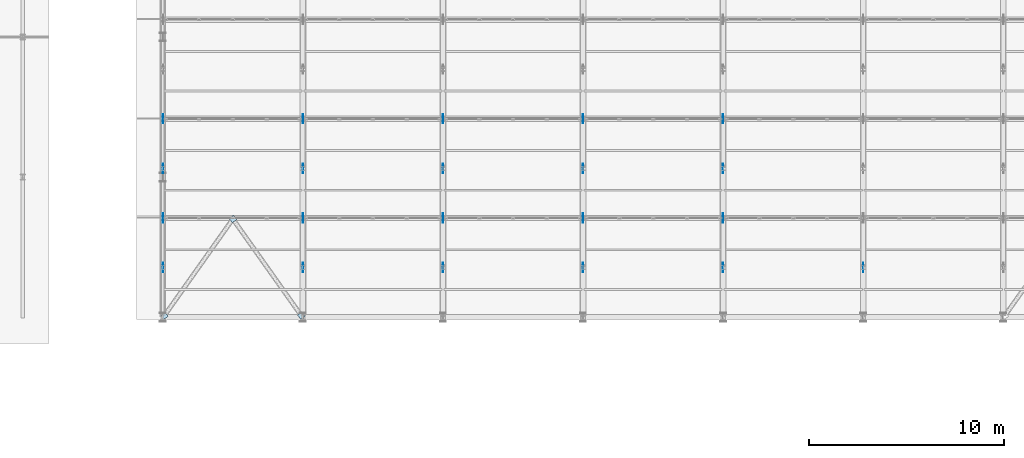
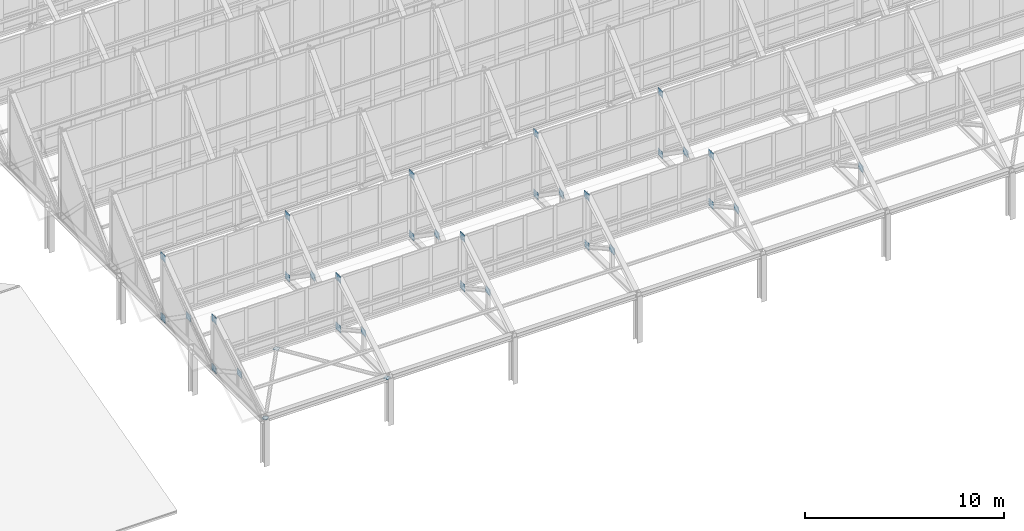
# One storey, part 107 of 157: 34 plates.
"""IFC4 building model written with IfcOpenShell, lengths in metres."""

from ifc_helpers import new_model, si_unit, direction, frame, origin, origin_2d, place, context, subcontext, project, spatial, rectangle, extrude, material, layer, layer_set, type_object, element, save


model = new_model("IFC4")

# Units and contexts
model_context = context("Model", 3, precision=1e-05, world=origin(), true_north=direction((0.0, 1.0)))
body_context = subcontext(model_context, "Body", "Model", "MODEL_VIEW")
ifc_project = project(units=[si_unit("LENGTHUNIT", "METRE"), si_unit("AREAUNIT", "SQUARE_METRE"), si_unit("VOLUMEUNIT", "CUBIC_METRE"), si_unit("PLANEANGLEUNIT", "RADIAN"), si_unit("MASSUNIT", "GRAM", prefix="KILO")], contexts=[model_context])

# Site, building, storey
site_placement = place(None, origin())
site = spatial("IfcSite", under=ifc_project, at=site_placement, CompositionType="ELEMENT")
building_placement = place(site_placement, origin())
building = spatial("IfcBuilding", under=site, at=building_placement, Name="Suanplinth Sawtooth Commons", CompositionType="ELEMENT")
storey_placement = place(building_placement, frame((0.0, 0.0, 9.0)))
storey = spatial("IfcBuildingStorey", under=building, at=storey_placement, Name="L02", CompositionType="ELEMENT", Elevation=9.0)

# Plates
ifc_material = material(Name="Steel S355JR", Category="steel")
ifc_layer_1 = layer(ifc_material, 0.02001953125, Name="Sawtooth truss chord gusset plate 20mm")
ifc_layer_set_1 = layer_set([ifc_layer_1], Name="Steel S355JR")
plate_type_1 = type_object("IfcPlateType", Name="PL-01", PredefinedType="USERDEFINED", material=ifc_layer_set_1)
for number, where, z_axis, x_axis, name in (
    (1, (64.800048828125, 52.949951171875, 3.81005859375), (0.0, 0.0, 1.0), (1.0, 0.0, 0.0), "Truss T1 Mid-Chord Gusset 1"),
    (2, (64.800048828125, 55.5, 2.56005859375), (0.0, 0.0, 1.0), (1.0, 0.0, 0.0), "Truss T1 Valley Gusset 1"),
    (3, (64.800048828125, 60.60009765625, 6.27001953125), (0.0, 0.0, 1.0), (1.0, 0.0, 0.0), "Truss T1 Crest Gusset 2"),
    (4, (64.800048828125, 58.050048828125, 4.16015625), (0.0, 0.0, 1.0), (1.0, 0.0, 0.0), "Truss T1 Mid-Chord Gusset 2"),
    (5, (64.800048828125, 60.60009765625, 2.56005859375), (0.0, 0.0, 1.0), (1.0, 0.0, 0.0), "Truss T1 Valley Gusset 2"),
    (6, (72.0, 52.949951171875, 3.81005859375), (0.0, 0.0, 1.0), (1.0, 0.0, 0.0), "Truss T2 Mid-Chord Gusset 1"),
    (7, (72.0, 55.5, 2.56005859375), (0.0, 0.0, 1.0), (1.0, 0.0, 0.0), "Truss T2 Valley Gusset 1"),
    (8, (72.0, 60.60009765625, 6.27001953125), (0.0, 0.0, 1.0), (1.0, 0.0, 0.0), "Truss T2 Crest Gusset 2"),
    (9, (72.0, 58.050048828125, 4.16015625), (0.0, 0.0, 1.0), (1.0, 0.0, 0.0), "Truss T2 Mid-Chord Gusset 2"),
    (10, (72.0, 60.60009765625, 2.56005859375), (0.0, 0.0, 1.0), (1.0, 0.0, 0.0), "Truss T2 Valley Gusset 2"),
    (11, (79.199951171875, 52.949951171875, 3.81005859375), (0.0, 0.0, 1.0), (1.0, 0.0, 0.0), "Truss T3 Mid-Chord Gusset 1"),
    (12, (79.199951171875, 55.5, 2.56005859375), (0.0, 0.0, 1.0), (1.0, 0.0, 0.0), "Truss T3 Valley Gusset 1"),
    (13, (79.199951171875, 60.60009765625, 6.27001953125), (0.0, 0.0, 1.0), (1.0, 0.0, 0.0), "Truss T3 Crest Gusset 2"),
    (14, (79.199951171875, 58.050048828125, 4.16015625), (0.0, 0.0, 1.0), (1.0, 0.0, 0.0), "Truss T3 Mid-Chord Gusset 2"),
    (15, (79.199951171875, 60.60009765625, 2.56005859375), (0.0, 0.0, 1.0), (1.0, 0.0, 0.0), "Truss T3 Valley Gusset 2"),
    (16, (86.39990234375, 52.949951171875, 3.81005859375), (0.0, 0.0, 1.0), (1.0, 0.0, 0.0), "Truss T4 Mid-Chord Gusset 1"),
    (17, (86.39990234375, 55.5, 2.56005859375), (0.0, 0.0, 1.0), (1.0, 0.0, 0.0), "Truss T4 Valley Gusset 1"),
    (18, (86.39990234375, 60.60009765625, 6.27001953125), (0.0, 0.0, 1.0), (1.0, 0.0, 0.0), "Truss T4 Crest Gusset 2"),
    (19, (86.39990234375, 58.050048828125, 4.16015625), (0.0, 0.0, 1.0), (1.0, 0.0, 0.0), "Truss T4 Mid-Chord Gusset 2"),
    (20, (86.39990234375, 60.60009765625, 2.56005859375), (0.0, 0.0, 1.0), (1.0, 0.0, 0.0), "Truss T4 Valley Gusset 2"),
    (21, (93.60009765625, 52.949951171875, 3.81005859375), (0.0, 0.0, 1.0), (1.0, 0.0, 0.0), "Truss T5 Mid-Chord Gusset 1"),
    (22, (93.60009765625, 55.5, 2.56005859375), (0.0, 0.0, 1.0), (1.0, 0.0, 0.0), "Truss T5 Valley Gusset 1"),
    (23, (93.60009765625, 60.60009765625, 6.27001953125), (0.0, 0.0, 1.0), (1.0, 0.0, 0.0), "Truss T5 Crest Gusset 2"),
    (24, (93.60009765625, 58.050048828125, 4.16015625), (0.0, 0.0, 1.0), (1.0, 0.0, 0.0), "Truss T5 Mid-Chord Gusset 2"),
    (25, (93.60009765625, 60.60009765625, 2.56005859375), (0.0, 0.0, 1.0), (1.0, 0.0, 0.0), "Truss T5 Valley Gusset 2"),
    (26, (100.800048828125, 52.949951171875, 3.81005859375), (0.0, 0.0, 1.0), (1.0, 0.0, 0.0), "Truss T6 Mid-Chord Gusset 1"),
):
    element("IfcPlate", number, at=place(storey_placement, frame(where, z_axis=z_axis, x_axis=x_axis)), inside=storey, type_object=plate_type_1, Name=name, ObjectType="GUSSET PLATE", PredefinedType="USERDEFINED", context=body_context, shape_type="SweptSolid", body=[
        extrude(rectangle(XDim=0.02001953125, YDim=0.47998046875, at=origin_2d()), origin(), (0.0, 0.0, 1.0), 0.419921875),
    ])
ifc_layer_2 = layer(ifc_material, 0.030029296875, Name="Sawtooth truss support bearing gusset plate 30mm")
ifc_layer_set_2 = layer_set([ifc_layer_2], Name="Steel S355JR")
plate_type_2 = type_object("IfcPlateType", Name="PL-02", PredefinedType="USERDEFINED", material=ifc_layer_set_2)
for number, where, z_axis, x_axis, name in (
    (27, (64.800048828125, 55.5, 5.570068359375), (0.0, 0.0, 1.0), (1.0, 0.0, 0.0), "Truss T1 Crest Gusset 1"),
    (28, (72.0, 55.5, 5.570068359375), (0.0, 0.0, 1.0), (1.0, 0.0, 0.0), "Truss T2 Crest Gusset 1"),
    (29, (79.199951171875, 55.5, 5.570068359375), (0.0, 0.0, 1.0), (1.0, 0.0, 0.0), "Truss T3 Crest Gusset 1"),
    (30, (86.39990234375, 55.5, 5.570068359375), (0.0, 0.0, 1.0), (1.0, 0.0, 0.0), "Truss T4 Crest Gusset 1"),
    (31, (93.60009765625, 55.5, 5.570068359375), (0.0, 0.0, 1.0), (1.0, 0.0, 0.0), "Truss T5 Crest Gusset 1"),
):
    element("IfcPlate", number, at=place(storey_placement, frame(where, z_axis=z_axis, x_axis=x_axis)), inside=storey, type_object=plate_type_2, Name=name, ObjectType="GUSSET PLATE", PredefinedType="USERDEFINED", context=body_context, shape_type="SweptSolid", body=[
        extrude(rectangle(XDim=0.030029296875, YDim=0.47998046875, at=origin_2d()), origin(), (0.0, 0.0, 1.0), 0.419921875),
    ])
ifc_layer_3 = layer(ifc_material, 0.011962890625, Name="Tubular steel end-cap seal plate 12mm")
ifc_layer_set_3 = layer_set([ifc_layer_3], Name="Steel S355JR")
plate_type_3 = type_object("IfcPlateType", Name="PL-03", PredefinedType="USERDEFINED", material=ifc_layer_set_3)
for number, where, z_axis, x_axis, name in (
    (32, (64.8798828125, 50.47998046875, 2.744140625), (0.0, 0.0, 1.0), (0.819152044289, 0.573576436351, 0.0), "Tubular Brace End Cap Plate 1-1-1"),
    (33, (68.39990234375, 55.449951171875, 2.744140625), (0.0, 0.0, 1.0), (0.819152044289, 0.573576436351, 0.0), "Tubular Brace End Cap Plate 1-1-2"),
    (34, (71.919921875, 50.47998046875, 2.744140625), (0.0, 0.0, 1.0), (0.819152044289, 0.573576436351, 0.0), "Tubular Brace End Cap Plate 1-2-1"),
):
    element("IfcPlate", number, at=place(storey_placement, frame(where, z_axis=z_axis, x_axis=x_axis)), inside=storey, type_object=plate_type_3, Name=name, ObjectType="GUSSET PLATE", PredefinedType="USERDEFINED", context=body_context, shape_type="SweptSolid", body=[
        extrude(rectangle(XDim=0.280029296875, YDim=0.280029296875, at=origin_2d()), origin(), (0.0, 0.0, 1.0), 0.011962890625),
    ])

save(model, "model.ifc")
